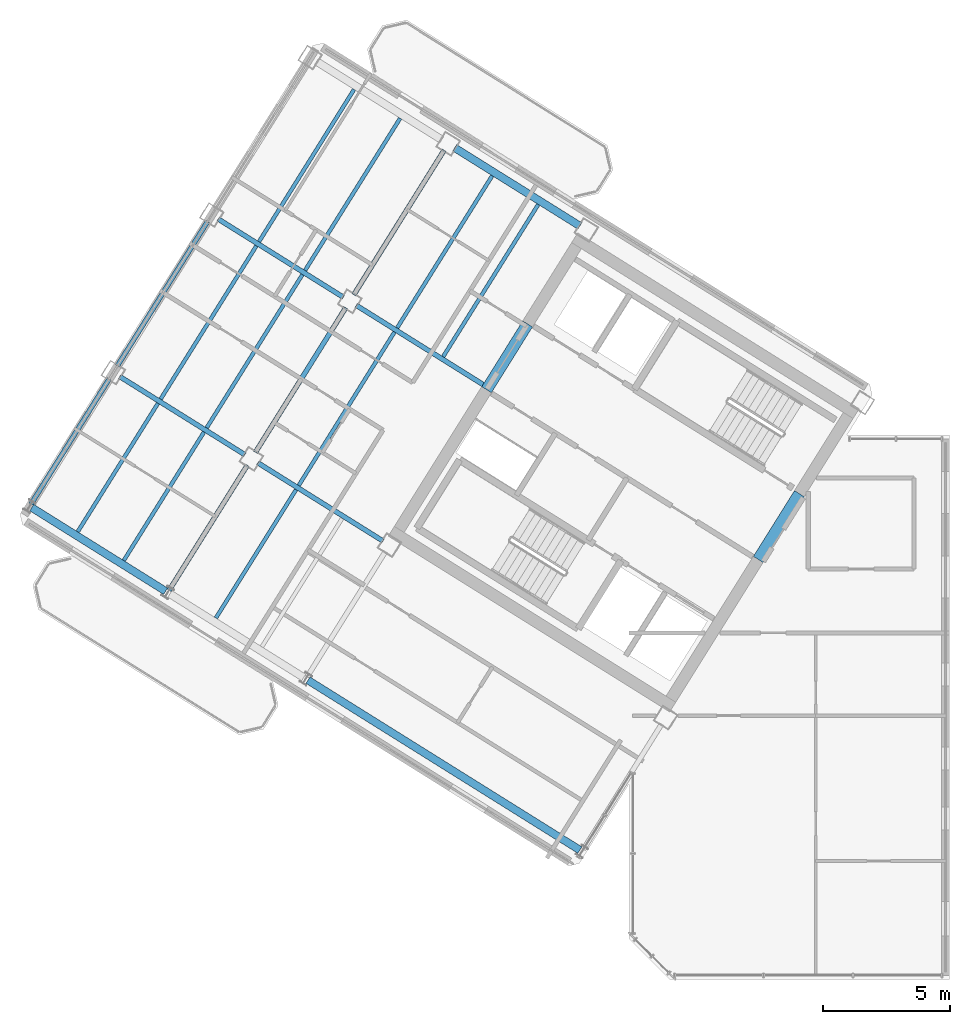
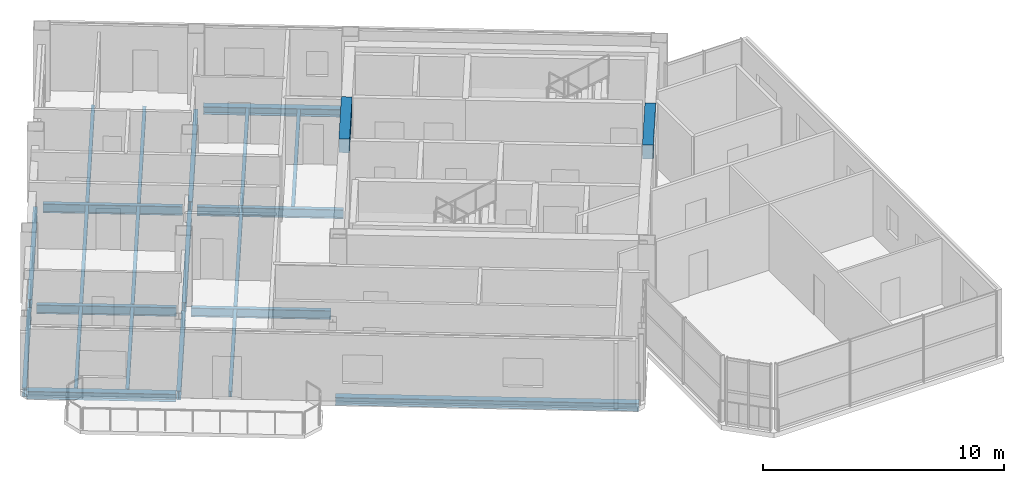
# One storey, part 3 of 13: 24 beams.
"""IFC4 building model written with IfcOpenShell, lengths in metres."""

from ifc_helpers import new_model, si_unit, direction, frame, origin, origin_2d, place, context, subcontext, project, spatial, rectangle, i_section, extrude, source, transform, mapped, material, material_profile, profile_set, type_object, element, save


model = new_model("IFC4")

# Units and contexts
model_context = context("Model", 3, precision=1e-05, world=origin(), true_north=direction((0.0, 1.0)))
body_context = subcontext(model_context, "Body", "Model", "MODEL_VIEW")
ifc_project = project(units=[si_unit("LENGTHUNIT", "METRE"), si_unit("AREAUNIT", "SQUARE_METRE"), si_unit("VOLUMEUNIT", "CUBIC_METRE"), si_unit("PLANEANGLEUNIT", "RADIAN"), si_unit("MASSUNIT", "GRAM", prefix="KILO")], contexts=[model_context])

# Site, building, storey
site_placement = place(None, origin())
site = spatial("IfcSite", under=ifc_project, at=site_placement, CompositionType="ELEMENT")
building_placement = place(site_placement, origin())
building = spatial("IfcBuilding", under=site, at=building_placement, Name="Tlacorven Tower", CompositionType="ELEMENT")
storey_placement = place(building_placement, frame((0.0, 0.0, 291.60009765625)))
storey = spatial("IfcBuildingStorey", under=building, at=storey_placement, Name="L74", CompositionType="ELEMENT", Elevation=291.60009765625)

# Beams
ifc_material_1 = material(Name="Concrete C60/75", Category="concrete")
ifc_material_profile_1 = material_profile(ifc_material_1, rectangle(XDim=0.449951171875, YDim=0.699951171875, at=origin_2d()), Name="RC 450X700")
ifc_profile_set_1 = profile_set([ifc_material_profile_1], Name="Concrete C60/75")
beam_type_1 = type_object("IfcBeamType", Name="BM-LNT-700", PredefinedType="LINTEL", material=ifc_profile_set_1)
shared_shape_1 = source(origin(), body_context, "Body", "SweptSolid", [
    extrude(rectangle(XDim=0.449951171875, YDim=0.699951171875, at=origin_2d()), origin(), (0.0, 0.0, 1.0), 3.050048828125),
])
beam_1_placement = place(storey_placement, frame((38.2998046875, 20.890625, 3.0), z_axis=(-0.529984549635, -0.848007297815, 0.0), x_axis=(0.848007297815, -0.529984549635, 0.0)))
element("IfcBeam", 1, at=beam_1_placement, inside=storey, type_object=beam_type_1, Name="L74 W core coupling lintel beam E1", PredefinedType="LINTEL", context=body_context, shape_type="MappedRepresentation", body=[
    mapped(shared_shape_1, transform((0.0, 0.0, 0.0), scale=1.0)),
])
shared_shape_2 = source(origin(), body_context, "Body", "SweptSolid", [
    extrude(rectangle(XDim=0.449951171875, YDim=0.699951171875, at=origin_2d()), origin(), (0.0, 0.0, 1.0), 3.0498046875),
])
beam_2_placement = place(storey_placement, frame((27.622802734375, 27.562255859375, 3.0), z_axis=(-0.529926983584, -0.848043272522, 0.0), x_axis=(0.848043272522, -0.529926983584, 0.0)))
element("IfcBeam", 2, at=beam_2_placement, inside=storey, type_object=beam_type_1, Name="L74 W core coupling lintel beam E2", PredefinedType="LINTEL", context=body_context, shape_type="MappedRepresentation", body=[
    mapped(shared_shape_2, transform((0.0, 0.0, 0.0), scale=1.0)),
])
ifc_material_2 = material(Name="Steel S355J2", Category="steel")
ifc_material_profile_2 = material_profile(ifc_material_2, i_section(OverallWidth=0.300048828125, OverallDepth=0.389892578125, WebThickness=0.010986328125, FlangeThickness=0.01904296875, at=origin_2d()), Name="HEA 400")
ifc_profile_set_2 = profile_set([ifc_material_profile_2], Name="Steel S355J2")
beam_type_2 = type_object("IfcBeamType", Name="BM-SPN-400", PredefinedType="SPANDREL", material=ifc_profile_set_2)
shared_shape_3 = source(origin(), body_context, "Body", "SweptSolid", [
    extrude(i_section(OverallWidth=0.300048828125, OverallDepth=0.389892578125, WebThickness=0.010986328125, FlangeThickness=0.01904296875, at=origin_2d()), origin(), (0.0, 0.0, 1.0), 12.599853515625),
])
beam_3_placement = place(storey_placement, frame((29.67578125, 6.882080078125, -0.445068359375), z_axis=(-0.848045108756, 0.529924045043, 0.0), x_axis=(-0.529924045043, -0.848045108756, 0.0)))
element("IfcBeam", 3, at=beam_3_placement, inside=storey, type_object=beam_type_2, Name="L74 beam BM-L74-WL4-1", PredefinedType="SPANDREL", context=body_context, shape_type="MappedRepresentation", body=[
    mapped(shared_shape_3, transform((0.0, 0.0, 0.0), scale=1.0)),
])
shared_shape_4 = source(origin(), body_context, "Body", "SweptSolid", [
    extrude(i_section(OverallWidth=0.300048828125, OverallDepth=0.389892578125, WebThickness=0.010986328125, FlangeThickness=0.01904296875, at=origin_2d()), origin(), (0.0, 0.0, 1.0), 6.199951171875),
])
beam_4_placement = place(storey_placement, frame((13.393310546875, 17.056396484375, -0.445068359375), z_axis=(-0.848033697614, 0.529942306022, 0.0), x_axis=(-0.529942306022, -0.848033697614, 0.0)))
element("IfcBeam", 4, at=beam_4_placement, inside=storey, type_object=beam_type_2, Name="L74 beam BM-L74-WL4-4", PredefinedType="SPANDREL", context=body_context, shape_type="MappedRepresentation", body=[
    mapped(shared_shape_4, transform((0.0, 0.0, 0.0), scale=1.0)),
])
shared_shape_5 = source(origin(), body_context, "Body", "SweptSolid", [
    extrude(i_section(OverallWidth=0.300048828125, OverallDepth=0.389892578125, WebThickness=0.010986328125, FlangeThickness=0.01904296875, at=origin_2d()), origin(), (0.0, 0.0, 1.0), 5.800048828125),
])
beam_5_placement = place(storey_placement, frame((29.673583984375, 31.410400390625, -0.445068359375), z_axis=(-0.848052689693, 0.529911912967, 0.0), x_axis=(-0.529911912967, -0.848052689693, 0.0)))
element("IfcBeam", 5, at=beam_5_placement, inside=storey, type_object=beam_type_2, Name="L74 beam BM-L74-WL1-3", PredefinedType="SPANDREL", context=body_context, shape_type="MappedRepresentation", body=[
    mapped(shared_shape_5, transform((0.0, 0.0, 0.0), scale=1.0)),
])
ifc_material_profile_3 = material_profile(ifc_material_2, i_section(OverallWidth=0.14990234375, OverallDepth=0.300048828125, WebThickness=0.007080078125, FlangeThickness=0.0107421875, at=origin_2d()), Name="IPE 300")
ifc_profile_set_3 = profile_set([ifc_material_profile_3], Name="Steel S355J2")
beam_type_3 = type_object("IfcBeamType", Name="BM-JST-300", PredefinedType="JOIST", material=ifc_profile_set_3)
shared_shape_6 = source(origin(), body_context, "Body", "SweptSolid", [
    extrude(i_section(OverallWidth=0.14990234375, OverallDepth=0.300048828125, WebThickness=0.007080078125, FlangeThickness=0.0107421875, at=origin_2d()), origin(), (0.0, 0.0, 1.0), 7.10009765625),
])
beam_6_placement = place(storey_placement, frame((22.38818359375, 27.23681640625, -0.400146484375), z_axis=(-0.529915484902, -0.848050457733, 0.0), x_axis=(0.848050457733, -0.529915484902, 0.0)))
element("IfcBeam", 6, at=beam_6_placement, inside=storey, type_object=beam_type_3, Name="L74 beam BM-L74-WJ3-2-2", PredefinedType="JOIST", context=body_context, shape_type="MappedRepresentation", body=[
    mapped(shared_shape_6, transform((0.0, 0.0, 0.0), scale=1.0)),
])
shared_shape_7 = source(origin(), body_context, "Body", "SweptSolid", [
    extrude(i_section(OverallWidth=0.14990234375, OverallDepth=0.300048828125, WebThickness=0.007080078125, FlangeThickness=0.0107421875, at=origin_2d()), origin(), (0.0, 0.0, 1.0), 7.099853515625),
])
for number, where, z_axis, x_axis, name in (
    (7, (18.769775390625, 29.497802734375, -0.400146484375), (-0.529890754507, -0.848065910344, 0.0), (0.848065910344, -0.529890754507, 0.0), "L74 beam BM-L74-WJ4-2-1"),
    (8, (16.960693359375, 30.628173828125, -0.400146484375), (-0.529930937954, -0.848040801494, 0.0), (0.848040801494, -0.529930937954, 0.0), "L74 beam BM-L74-WJ4-2-2"),
):
    element("IfcBeam", number, at=place(storey_placement, frame(where, z_axis=z_axis, x_axis=x_axis)), inside=storey, type_object=beam_type_3, Name=name, PredefinedType="JOIST", context=body_context, shape_type="MappedRepresentation", body=[
        mapped(shared_shape_7, transform((0.0, 0.0, 0.0), scale=1.0)),
    ])
shared_shape_8 = source(origin(), body_context, "Body", "SweptSolid", [
    extrude(i_section(OverallWidth=0.14990234375, OverallDepth=0.300048828125, WebThickness=0.007080078125, FlangeThickness=0.0107421875, at=origin_2d()), origin(), (0.0, 0.0, 1.0), 7.044921875),
])
for number, where, z_axis, x_axis, name in (
    (9, (28.03662109375, 32.25048828125, -0.400146484375), (-0.529899256491, -0.848060598053, 0.0), (0.848060598053, -0.529899256491, 0.0), "L74 beam BM-L74-WJ3-1-1"),
    (10, (26.2275390625, 33.380859375, -0.400146484375), (-0.529939753148, -0.848035292917, 0.0), (0.848035292917, -0.529939753148, 0.0), "L74 beam BM-L74-WJ3-1-2"),
    (11, (22.609130859375, 35.641845703125, -0.400146484375), (-0.52991483005, -0.848050866925, 0.0), (0.848050866925, -0.52991483005, 0.0), "L74 beam BM-L74-WJ4-1-1"),
):
    element("IfcBeam", number, at=place(storey_placement, frame(where, z_axis=z_axis, x_axis=x_axis)), inside=storey, type_object=beam_type_3, Name=name, PredefinedType="JOIST", context=body_context, shape_type="MappedRepresentation", body=[
        mapped(shared_shape_8, transform((0.0, 0.0, 0.0), scale=1.0)),
    ])
shared_shape_9 = source(origin(), body_context, "Body", "SweptSolid", [
    extrude(i_section(OverallWidth=0.14990234375, OverallDepth=0.300048828125, WebThickness=0.007080078125, FlangeThickness=0.0107421875, at=origin_2d()), origin(), (0.0, 0.0, 1.0), 5.945068359375),
])
for number, where, z_axis, x_axis, name in (
    (12, (18.519775390625, 21.046142578125, -0.400146484375), (-0.529914037113, -0.848051362401, 0.0), (0.848051362401, -0.529914037113, 0.0), "L74 beam BM-L74-WJ3-3-2"),
    (13, (14.9013671875, 23.30712890625, -0.400146484375), (-0.529884501938, -0.848069817059, 0.0), (0.848069817059, -0.529884501938, 0.0), "L74 beam BM-L74-WJ4-3-1"),
):
    element("IfcBeam", number, at=place(storey_placement, frame(where, z_axis=z_axis, x_axis=x_axis)), inside=storey, type_object=beam_type_3, Name=name, PredefinedType="JOIST", context=body_context, shape_type="MappedRepresentation", body=[
        mapped(shared_shape_9, transform((0.0, 0.0, 0.0), scale=1.0)),
    ])
shared_shape_10 = source(origin(), body_context, "Body", "SweptSolid", [
    extrude(i_section(OverallWidth=0.14990234375, OverallDepth=0.300048828125, WebThickness=0.007080078125, FlangeThickness=0.0107421875, at=origin_2d()), origin(), (0.0, 0.0, 1.0), 7.045166015625),
])
beam_7_placement = place(storey_placement, frame((20.800048828125, 36.7724609375, -0.400146484375), z_axis=(-0.529924179428, -0.848045024782, 0.0), x_axis=(0.848045024782, -0.529924179428, 0.0)))
element("IfcBeam", 14, at=beam_7_placement, inside=storey, type_object=beam_type_3, Name="L74 beam BM-L74-WJ4-1-2", PredefinedType="JOIST", context=body_context, shape_type="MappedRepresentation", body=[
    mapped(shared_shape_10, transform((0.0, 0.0, 0.0), scale=1.0)),
])
shared_shape_11 = source(origin(), body_context, "Body", "SweptSolid", [
    extrude(i_section(OverallWidth=0.14990234375, OverallDepth=0.300048828125, WebThickness=0.007080078125, FlangeThickness=0.0107421875, at=origin_2d()), origin(), (0.0, 0.0, 1.0), 5.94482421875),
])
beam_8_placement = place(storey_placement, frame((13.09228515625, 24.4375, -0.400146484375), z_axis=(-0.529932492401, -0.848039830136, 0.0), x_axis=(0.848039830136, -0.529932492401, 0.0)))
element("IfcBeam", 15, at=beam_8_placement, inside=storey, type_object=beam_type_3, Name="L74 beam BM-L74-WJ4-3-2", PredefinedType="JOIST", context=body_context, shape_type="MappedRepresentation", body=[
    mapped(shared_shape_11, transform((0.0, 0.0, 0.0), scale=1.0)),
])
ifc_material_profile_4 = material_profile(ifc_material_2, i_section(OverallWidth=0.18994140625, OverallDepth=0.449951171875, WebThickness=0.009521484375, FlangeThickness=0.0146484375, at=origin_2d()), Name="IPE 450")
ifc_profile_set_4 = profile_set([ifc_material_profile_4], Name="Steel S355J2")
beam_type_4 = type_object("IfcBeamType", Name="BM-TWR-450", PredefinedType="BEAM", material=ifc_profile_set_4)
shared_shape_12 = source(origin(), body_context, "Body", "SweptSolid", [
    extrude(i_section(OverallWidth=0.18994140625, OverallDepth=0.449951171875, WebThickness=0.009521484375, FlangeThickness=0.0146484375, at=origin_2d()), origin(), (0.0, 0.0, 1.0), 6.06005859375),
])
beam_9_placement = place(storey_placement, frame((26.025634765625, 25.081787109375, -0.47509765625), z_axis=(-0.848039041052, 0.529933755154, 0.0), x_axis=(-0.529933755154, -0.848039041052, 0.0)))
element("IfcBeam", 16, at=beam_9_placement, inside=storey, type_object=beam_type_4, Name="L74 beam BM-L74-WL2-3", PredefinedType="BEAM", context=body_context, shape_type="MappedRepresentation", body=[
    mapped(shared_shape_12, transform((0.0, 0.0, 0.0), scale=1.0)),
])
shared_shape_13 = source(origin(), body_context, "Body", "SweptSolid", [
    extrude(i_section(OverallWidth=0.18994140625, OverallDepth=0.449951171875, WebThickness=0.009521484375, FlangeThickness=0.0146484375, at=origin_2d()), origin(), (0.0, 0.0, 1.0), 5.800048828125),
])
for number, where, z_axis, x_axis, name in (
    (17, (20.377685546875, 28.611083984375, -0.47509765625), (-0.848052689693, 0.529911912967, 0.0), (-0.529911912967, -0.848052689693, 0.0), "L74 beam BM-L74-WL2-4"),
    (18, (21.936767578125, 19.02880859375, -0.47509765625), (-0.848052689693, 0.529911912967, 0.0), (-0.529911912967, -0.848052689693, 0.0), "L74 beam BM-L74-WL3-3"),
    (19, (16.50927734375, 22.42041015625, -0.47509765625), (-0.848052689693, 0.529911912967, 0.0), (-0.529911912967, -0.848052689693, 0.0), "L74 beam BM-L74-WL3-4"),
    (20, (16.604736328125, 22.0068359375, -0.47509765625), (-0.52994218514, -0.848033773154, 0.0), (0.848033773154, -0.52994218514, 0.0), "L74 beam BM-L74-WT4-3"),
    (21, (11.17724609375, 25.3984375, -0.47509765625), (-0.52994218514, -0.848033773154, 0.0), (0.848033773154, -0.52994218514, 0.0), "L74 beam BM-L74-WT5-3"),
):
    element("IfcBeam", number, at=place(storey_placement, frame(where, z_axis=z_axis, x_axis=x_axis)), inside=storey, type_object=beam_type_4, Name=name, PredefinedType="BEAM", context=body_context, shape_type="MappedRepresentation", body=[
        mapped(shared_shape_13, transform((0.0, 0.0, 0.0), scale=1.0)),
    ])
shared_shape_14 = source(origin(), body_context, "Body", "SweptSolid", [
    extrude(i_section(OverallWidth=0.18994140625, OverallDepth=0.449951171875, WebThickness=0.009521484375, FlangeThickness=0.0146484375, at=origin_2d()), origin(), (0.0, 0.0, 1.0), 6.699951171875),
])
for number, where, z_axis, x_axis, name in (
    (22, (24.341552734375, 34.388427734375, -0.47509765625), (-0.529930154818, -0.848041290867, 0.0), (0.848041290867, -0.529930154818, 0.0), "L74 beam BM-L74-WT4-1"),
    (23, (20.47314453125, 28.19775390625, -0.47509765625), (-0.529930154818, -0.848041290867, 0.0), (0.848041290867, -0.529930154818, 0.0), "L74 beam BM-L74-WT4-2"),
    (24, (15.045654296875, 31.589111328125, -0.47509765625), (-0.529930154818, -0.848041290867, 0.0), (0.848041290867, -0.529930154818, 0.0), "L74 beam BM-L74-WT5-2"),
):
    element("IfcBeam", number, at=place(storey_placement, frame(where, z_axis=z_axis, x_axis=x_axis)), inside=storey, type_object=beam_type_4, Name=name, PredefinedType="BEAM", context=body_context, shape_type="MappedRepresentation", body=[
        mapped(shared_shape_14, transform((0.0, 0.0, 0.0), scale=1.0)),
    ])

save(model, "model.ifc")
